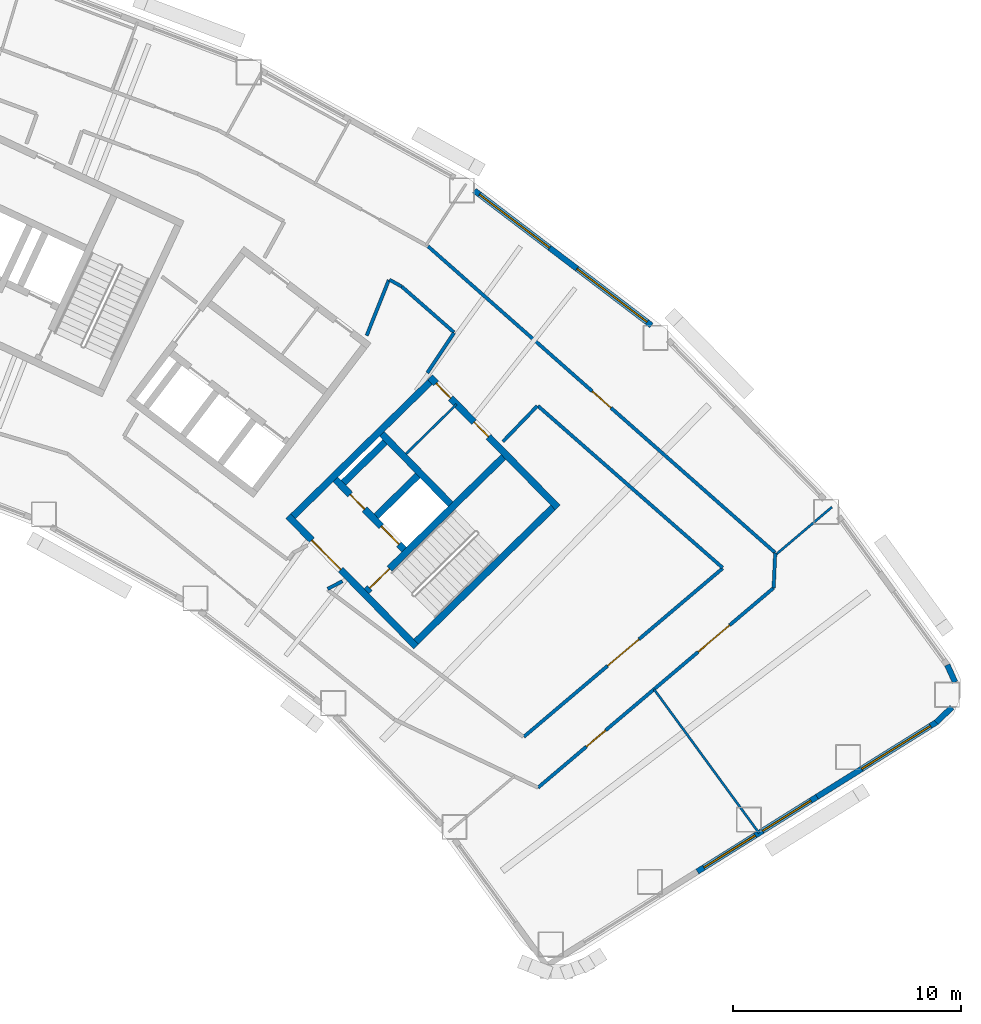
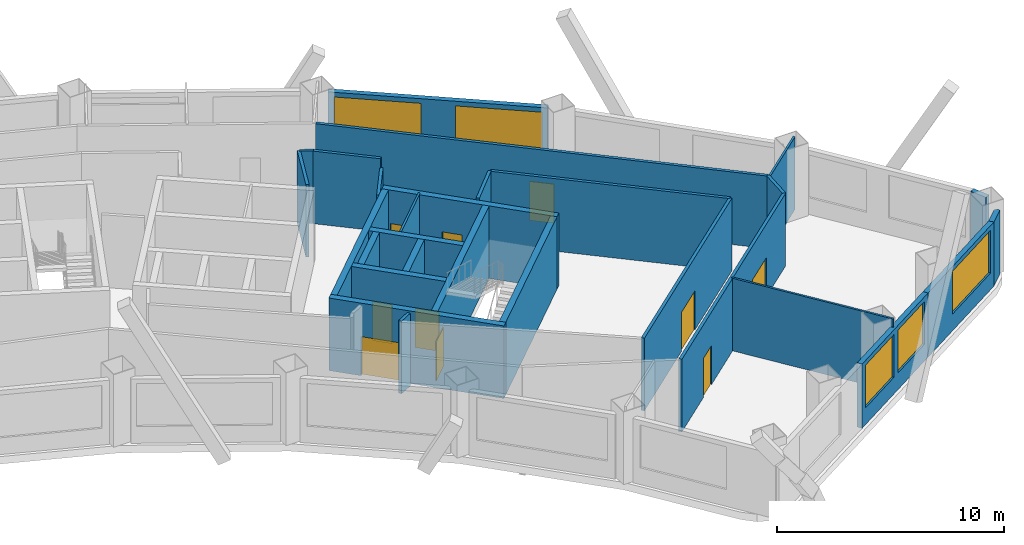
# One storey, part 7 of 11: 28 walls, 10 doors, 5 windows, 15 openings.
"""IFC4 building model written with IfcOpenShell, lengths in metres."""

from ifc_helpers import new_model, si_unit, direction, frame, frame_2d, origin, place, context, subcontext, project, spatial, rectangle, extrude, material, layer, layer_set, type_object, element, fill, save


model = new_model("IFC4")

# Units and contexts
model_context = context("Model", 3, precision=1e-05, world=origin(), true_north=direction((0.0, 1.0)))
body_context = subcontext(model_context, "Body", "Model", "MODEL_VIEW")
ifc_project = project(units=[si_unit("LENGTHUNIT", "METRE"), si_unit("AREAUNIT", "SQUARE_METRE"), si_unit("VOLUMEUNIT", "CUBIC_METRE"), si_unit("PLANEANGLEUNIT", "RADIAN"), si_unit("MASSUNIT", "GRAM", prefix="KILO")], contexts=[model_context])

# Site, building, storey
site_placement = place(None, origin())
site = spatial("IfcSite", under=ifc_project, at=site_placement, CompositionType="ELEMENT")
building_placement = place(site_placement, origin())
building = spatial("IfcBuilding", under=site, at=building_placement, Name="Tuul Gate Civic Tower", CompositionType="ELEMENT")
storey_placement = place(building_placement, frame((0.0, 0.0, 99.300048828125)))
storey = spatial("IfcBuildingStorey", under=building, at=storey_placement, Name="Level 22", CompositionType="ELEMENT", Elevation=99.300048828125)

# Wall, opening, door
ifc_material_1 = material(Name="Concrete C50/60", Category="concrete")
ifc_layer_1 = layer(ifc_material_1, 0.300048828125)
ifc_layer_set_1 = layer_set([ifc_layer_1], Name="Concrete C50/60")
wall_type_1 = type_object("IfcWallType", Name="Core wall C50/60", PredefinedType="SHEAR", material=ifc_layer_set_1)
wall_1_placement = place(storey_placement, frame((48.22509765625, -18.327880859375, 0.0), z_axis=(0.0, 0.0, 1.0), x_axis=(-0.700021979774, 0.714121297703, 0.0)))
wall_1 = element("IfcWall", 1, at=wall_1_placement, inside=storey, type_object=wall_type_1, Name="Core wall", PredefinedType="SHEAR", context=body_context, shape_type="SweptSolid", body=[
    extrude(rectangle(XDim=8.0, YDim=0.300048828125, at=frame_2d((4.0, 0.0))), origin(), (0.0, 0.0, 1.0), 3.89990234375),
])
opening_1_placement = place(wall_1_placement, frame((4.72509765625, 0.0, 0.0)))
opening_1 = element("IfcOpeningElement", 2, at=opening_1_placement, cuts=wall_1, Name="Opening LB-E1-LOBBY-1", PredefinedType="OPENING", context=body_context, shape_type="SweptSolid", body=[
    extrude(rectangle(XDim=1.800048828125, YDim=2.10009765625, at=frame_2d((0.89990234375, 1.050048828125))), frame((0.0, 0.16015625, 0.0), z_axis=(0.0, -1.0, 0.0), x_axis=(1.0, 0.0, 0.0)), (0.0, 0.0, 1.0), 0.320068359375),
])
ifc_material_2 = material(Name="Steel", Category="steel")
door_type_1 = type_object("IfcDoorType", Name="Lobby door", OperationType="DOUBLE_DOOR_SINGLE_SWING", PredefinedType="DOOR", material=ifc_material_2)
door_1_placement = place(opening_1_placement, frame((1.800048828125, 0.0, 0.0), z_axis=(0.0, 0.0, 1.0), x_axis=(-1.0, 0.0, 0.0)))
door_1 = element("IfcDoor", 3, at=door_1_placement, inside=storey, type_object=door_type_1, Name="Lobby door E1-LOBBY", OperationType="DOUBLE_DOOR_SINGLE_SWING", OverallHeight=2.10009765625, OverallWidth=1.800048828125, PredefinedType="DOOR", context=body_context, shape_type="SweptSolid", body=[
    extrude(rectangle(XDim=1.800048828125, YDim=2.10009765625, at=frame_2d((0.900146484375, 1.050048828125))), frame((0.0, 0.02490234375, 0.0), z_axis=(0.0, -1.0, 0.0), x_axis=(1.0, 0.0, 0.0)), (0.0, 0.0, 1.0), 0.050048828125),
])
fill(opening_1, door_1)

# Wall, openings, doors
wall_2_placement = place(storey_placement, frame((47.701904296875, -14.079833984375, 0.0), z_axis=(0.0, 0.0, 1.0), x_axis=(-0.700002721075, 0.714140175657, 0.0)))
wall_2 = element("IfcWall", 4, at=wall_2_placement, inside=storey, type_object=wall_type_1, Name="Core wall", PredefinedType="SHEAR", context=body_context, shape_type="SweptSolid", body=[
    extrude(rectangle(XDim=4.300048828125, YDim=0.300048828125, at=frame_2d((2.14990234375, 0.0))), origin(), (0.0, 0.0, 1.0), 3.89990234375),
])
opening_2_placement = place(wall_2_placement, frame((0.324951171875, 0.0, 0.0)))
opening_2 = element("IfcOpeningElement", 5, at=opening_2_placement, cuts=wall_2, Name="Opening LD-L4", PredefinedType="OPENING", context=body_context, shape_type="SweptSolid", body=[
    extrude(rectangle(XDim=1.10009765625, YDim=2.10009765625, at=frame_2d((0.550048828125, 1.050048828125))), frame((0.0, 0.16015625, 0.0), z_axis=(0.0, -1.0, 0.0), x_axis=(1.0, 0.0, 0.0)), (0.0, 0.0, 1.0), 0.320068359375),
])
opening_3_placement = place(wall_2_placement, frame((2.47509765625, 0.0, 0.0)))
opening_3 = element("IfcOpeningElement", 6, at=opening_3_placement, cuts=wall_2, Name="Opening FB-E1A2", PredefinedType="OPENING", context=body_context, shape_type="SweptSolid", body=[
    extrude(rectangle(XDim=0.89990234375, YDim=2.10009765625, at=frame_2d((0.449951171875, 1.050048828125))), frame((0.0, 0.16015625, 0.0), z_axis=(0.0, -1.0, 0.0), x_axis=(1.0, 0.0, 0.0)), (0.0, 0.0, 1.0), 0.320068359375),
])
ifc_material_3 = material(Name="Stainless steel", Category="steel")
door_type_2 = type_object("IfcDoorType", Name="Landing door", OperationType="DOUBLE_DOOR_SLIDING", PredefinedType="DOOR", material=ifc_material_3)
door_2_placement = place(opening_2_placement, origin())
door_2 = element("IfcDoor", 7, at=door_2_placement, inside=storey, type_object=door_type_2, Name="Low-rise lift L4 landing door", OperationType="DOUBLE_DOOR_SLIDING", OverallHeight=2.10009765625, OverallWidth=1.10009765625, PredefinedType="DOOR", context=body_context, shape_type="SweptSolid", body=[
    extrude(rectangle(XDim=1.10009765625, YDim=2.10009765625, at=frame_2d((0.550048828125, 1.050048828125))), frame((0.0, 0.02490234375, 0.0), z_axis=(0.0, -1.0, 0.0), x_axis=(1.0, 0.0, 0.0)), (0.0, 0.0, 1.0), 0.050048828125),
])
fill(opening_2, door_2)
ifc_material_4 = material(Name="Steel", Category="steel")
door_type_3 = type_object("IfcDoorType", Name="Store door", OperationType="NOTDEFINED", PredefinedType="DOOR", material=ifc_material_4)
door_3_placement = place(opening_3_placement, origin())
door_3 = element("IfcDoor", 8, at=door_3_placement, inside=storey, type_object=door_type_3, Name="Store door E1A2", OperationType="SINGLE_SWING_RIGHT", OverallHeight=2.10009765625, OverallWidth=0.89990234375, PredefinedType="DOOR", context=body_context, shape_type="SweptSolid", body=[
    extrude(rectangle(XDim=0.89990234375, YDim=2.10009765625, at=frame_2d((0.449951171875, 1.050048828125))), frame((0.0, 0.02490234375, 0.0), z_axis=(0.0, -1.0, 0.0), x_axis=(1.0, 0.0, 0.0)), (0.0, 0.0, 1.0), 0.050048828125),
])
fill(opening_3, door_3)

# Wall
wall_3_placement = place(storey_placement, frame((49.737060546875, -12.0849609375, 0.0), z_axis=(0.0, 0.0, 1.0), x_axis=(-0.700002721075, 0.714140175657, 0.0)))
element("IfcWall", 9, at=wall_3_placement, inside=storey, type_object=wall_type_1, Name="Core wall", PredefinedType="SHEAR", context=body_context, shape_type="SweptSolid", body=[
    extrude(rectangle(XDim=4.300048828125, YDim=0.300048828125, at=frame_2d((2.14990234375, 0.0))), origin(), (0.0, 0.0, 1.0), 3.89990234375),
])

# Wall, openings, doors
wall_4_placement = place(storey_placement, frame((54.43798828125, -12.23779296875, 0.0), z_axis=(0.0, 0.0, 1.0), x_axis=(-0.700021979774, 0.714121297703, 0.0)))
wall_4 = element("IfcWall", 10, at=wall_4_placement, inside=storey, type_object=wall_type_1, Name="Core wall", PredefinedType="SHEAR", context=body_context, shape_type="SweptSolid", body=[
    extrude(rectangle(XDim=8.0, YDim=0.300048828125, at=frame_2d((4.0, 0.0))), origin(), (0.0, 0.0, 1.0), 3.89990234375),
])
opening_4_placement = place(wall_4_placement, frame((4.34375, 0.0, 0.0)))
opening_4 = element("IfcOpeningElement", 11, at=opening_4_placement, cuts=wall_4, Name="Opening G-D29", PredefinedType="OPENING", context=body_context, shape_type="SweptSolid", body=[
    extrude(rectangle(XDim=0.89990234375, YDim=2.10009765625, at=frame_2d((0.449951171875, 1.050048828125))), frame((0.0, 0.16015625, 0.0), z_axis=(0.0, -1.0, 0.0), x_axis=(1.0, 0.0, 0.0)), (0.0, 0.0, 1.0), 0.320068359375),
])
opening_5_placement = place(wall_4_placement, frame((6.71875, 0.0, 0.0)))
opening_5 = element("IfcOpeningElement", 12, at=opening_5_placement, cuts=wall_4, Name="Opening G-D30", PredefinedType="OPENING", context=body_context, shape_type="SweptSolid", body=[
    extrude(rectangle(XDim=0.89990234375, YDim=2.10009765625, at=frame_2d((0.449951171875, 1.050048828125))), frame((0.0, 0.16015625, 0.0), z_axis=(0.0, -1.0, 0.0), x_axis=(1.0, 0.0, 0.0)), (0.0, 0.0, 1.0), 0.320068359375),
])
ifc_material_5 = material(Name="Timber door leaf", Category="wood")
door_type_4 = type_object("IfcDoorType", Name="Door D09", OperationType="NOTDEFINED", PredefinedType="DOOR", material=ifc_material_5)
door_4_placement = place(opening_4_placement, origin())
door_4 = element("IfcDoor", 13, at=door_4_placement, inside=storey, type_object=door_type_4, Name="Door G-D29", OperationType="SINGLE_SWING_LEFT", OverallHeight=2.10009765625, OverallWidth=0.89990234375, PredefinedType="DOOR", context=body_context, shape_type="SweptSolid", body=[
    extrude(rectangle(XDim=0.89990234375, YDim=2.10009765625, at=frame_2d((0.449951171875, 1.050048828125))), frame((0.0, 0.02490234375, 0.0), z_axis=(0.0, -1.0, 0.0), x_axis=(1.0, 0.0, 0.0)), (0.0, 0.0, 1.0), 0.050048828125),
])
fill(opening_4, door_4)
door_5_placement = place(opening_5_placement, origin())
door_5 = element("IfcDoor", 14, at=door_5_placement, inside=storey, type_object=door_type_4, Name="Door G-D30", OperationType="SINGLE_SWING_LEFT", OverallHeight=2.10009765625, OverallWidth=0.89990234375, PredefinedType="DOOR", context=body_context, shape_type="SweptSolid", body=[
    extrude(rectangle(XDim=0.89990234375, YDim=2.10009765625, at=frame_2d((0.449951171875, 1.050048828125))), frame((0.0, 0.02490234375, 0.0), z_axis=(0.0, -1.0, 0.0), x_axis=(1.0, 0.0, 0.0)), (0.0, 0.0, 1.0), 0.050048828125),
])
fill(opening_5, door_5)

# Wall
wall_5_placement = place(storey_placement, frame((48.227294921875, -18.115966796875, 0.0), z_axis=(0.0, 0.0, 1.0), x_axis=(0.714105315431, 0.700038283577, 0.0)))
element("IfcWall", 15, at=wall_5_placement, inside=storey, type_object=wall_type_1, Name="Core wall", PredefinedType="SHEAR", context=body_context, shape_type="SweptSolid", body=[
    extrude(rectangle(XDim=8.400146484375, YDim=0.300048828125, at=frame_2d((4.2001953125, 0.0))), origin(), (0.0, 0.0, 1.0), 3.89990234375),
])

# Wall, opening, door
wall_6_placement = place(storey_placement, frame((46.05712890625, -15.902099609375, 0.0), z_axis=(0.0, 0.0, 1.0), x_axis=(0.714134086973, 0.700008932674, 0.0)))
wall_6 = element("IfcWall", 16, at=wall_6_placement, inside=storey, type_object=wall_type_1, Name="Core wall", PredefinedType="SHEAR", context=body_context, shape_type="SweptSolid", body=[
    extrude(rectangle(XDim=8.400146484375, YDim=0.300048828125, at=frame_2d((4.2001953125, 0.0))), origin(), (0.0, 0.0, 1.0), 3.89990234375),
])
opening_6_placement = place(wall_6_placement, frame((0.199951171875, 0.0, 0.0)))
opening_6 = element("IfcOpeningElement", 17, at=opening_6_placement, cuts=wall_6, Name="Opening SD-ST-3", PredefinedType="OPENING", context=body_context, shape_type="SweptSolid", body=[
    extrude(rectangle(XDim=1.199951171875, YDim=2.10009765625, at=frame_2d((0.60009765625, 1.050048828125))), frame((0.0, 0.16015625, 0.0), z_axis=(0.0, -1.0, 0.0), x_axis=(1.0, 0.0, 0.0)), (0.0, 0.0, 1.0), 0.320068359375),
])
ifc_material_6 = material(Name="Steel", Category="steel")
door_type_5 = type_object("IfcDoorType", Name="Stair door", OperationType="NOTDEFINED", PredefinedType="DOOR", material=ifc_material_6)
door_6_placement = place(opening_6_placement, origin())
door_6 = element("IfcDoor", 18, at=door_6_placement, inside=storey, type_object=door_type_5, Name="Stair door ST-3", OperationType="SINGLE_SWING_LEFT", OverallHeight=2.10009765625, OverallWidth=1.199951171875, PredefinedType="DOOR", context=body_context, shape_type="SweptSolid", body=[
    extrude(rectangle(XDim=1.199951171875, YDim=2.10009765625, at=frame_2d((0.60009765625, 1.050048828125))), frame((0.0, 0.02490234375, 0.0), z_axis=(0.0, -1.0, 0.0), x_axis=(1.0, 0.0, 0.0)), (0.0, 0.0, 1.0), 0.050048828125),
])
fill(opening_6, door_6)

# Walls
wall_7_placement = place(storey_placement, frame((46.47900390625, -12.617919921875, 0.0), z_axis=(0.0, 0.0, 1.0), x_axis=(0.71410944159, 0.700034074479, 0.0)))
element("IfcWall", 19, at=wall_7_placement, inside=storey, type_object=wall_type_1, Name="Core wall", PredefinedType="SHEAR", context=body_context, shape_type="SweptSolid", body=[
    extrude(rectangle(XDim=2.5498046875, YDim=0.300048828125, at=frame_2d((1.27490234375, 0.0))), origin(), (0.0, 0.0, 1.0), 3.89990234375),
])
wall_8_placement = place(storey_placement, frame((45.0439453125, -11.154052734375, 0.0), z_axis=(0.0, 0.0, 1.0), x_axis=(0.714108498262, 0.700035036773, 0.0)))
element("IfcWall", 20, at=wall_8_placement, inside=storey, type_object=wall_type_1, Name="Core wall", PredefinedType="SHEAR", context=body_context, shape_type="SweptSolid", body=[
    extrude(rectangle(XDim=2.550048828125, YDim=0.300048828125, at=frame_2d((1.27490234375, 0.0))), origin(), (0.0, 0.0, 1.0), 3.89990234375),
])
wall_9_placement = place(storey_placement, frame((42.837158203125, -12.616943359375, 0.0), z_axis=(0.0, 0.0, 1.0), x_axis=(0.714119844755, 0.700023461983, 0.0)))
element("IfcWall", 21, at=wall_9_placement, inside=storey, type_object=wall_type_1, Name="Core wall", PredefinedType="SHEAR", context=body_context, shape_type="SweptSolid", body=[
    extrude(rectangle(XDim=8.39990234375, YDim=0.300048828125, at=frame_2d((4.199951171875, 0.0))), origin(), (0.0, 0.0, 1.0), 3.89990234375),
])
ifc_material_7 = material(Name="Gypsum board partition")
ifc_layer_2 = layer(ifc_material_7, 0.14990234375)
ifc_layer_set_2 = layer_set([ifc_layer_2], Name="Gypsum board partition")
wall_type_2 = type_object("IfcWallType", Name="Corridor wall P150", PredefinedType="PARTITIONING", material=ifc_layer_set_2)
wall_10_placement = place(storey_placement, frame((63.896728515625, -15.7587890625, 0.0), z_axis=(0.0, 0.0, 1.0), x_axis=(0.044386550427, 0.999014431398, 0.0)))
element("IfcWall", 22, at=wall_10_placement, inside=storey, type_object=wall_type_2, Name="p005", PredefinedType="PARTITIONING", context=body_context, shape_type="SweptSolid", body=[
    extrude(rectangle(XDim=1.5400390625, YDim=0.14990234375, at=frame_2d((0.77001953125, 0.0))), origin(), (0.0, 0.0, 1.0), 3.89990234375),
])

# Wall, opening, door
wall_11_placement = place(storey_placement, frame((48.749755859375, -0.790283203125, 0.0), z_axis=(0.0, 0.0, 1.0), x_axis=(0.749724450123, -0.66175014083, 0.0)))
wall_11 = element("IfcWall", 23, at=wall_11_placement, inside=storey, type_object=wall_type_2, Name="p006", PredefinedType="PARTITIONING", context=body_context, shape_type="SweptSolid", body=[
    extrude(rectangle(XDim=20.294677734375, YDim=0.14990234375, at=frame_2d((10.1474609375, 0.0))), origin(), (0.0, 0.0, 1.0), 3.89990234375),
])
opening_7_placement = place(wall_11_placement, frame((9.59716796875, 0.0, 0.0)))
opening_7 = element("IfcOpeningElement", 24, at=opening_7_placement, cuts=wall_11, Name="Opening G-D01", PredefinedType="OPENING", context=body_context, shape_type="SweptSolid", body=[
    extrude(rectangle(XDim=1.10009765625, YDim=2.10009765625, at=frame_2d((0.550048828125, 1.050048828125))), frame((0.0, 0.0849609375, 0.0), z_axis=(0.0, -1.0, 0.0), x_axis=(1.0, 0.0, 0.0)), (0.0, 0.0, 1.0), 0.169921875),
])
ifc_material_8 = material(Name="Timber door leaf", Category="wood")
door_type_6 = type_object("IfcDoorType", Name="Door D11", OperationType="NOTDEFINED", PredefinedType="DOOR", material=ifc_material_8)
door_7_placement = place(opening_7_placement, origin())
door_7 = element("IfcDoor", 25, at=door_7_placement, inside=storey, type_object=door_type_6, Name="Door G-D01", OperationType="SINGLE_SWING_RIGHT", OverallHeight=2.10009765625, OverallWidth=1.10009765625, PredefinedType="DOOR", context=body_context, shape_type="SweptSolid", body=[
    extrude(rectangle(XDim=1.10009765625, YDim=2.10009765625, at=frame_2d((0.550048828125, 1.050048828125))), frame((0.0, 0.02490234375, 0.0), z_axis=(0.0, -1.0, 0.0), x_axis=(1.0, 0.0, 0.0)), (0.0, 0.0, 1.0), 0.050048828125),
])
fill(opening_7, door_7)

# Walls
wall_12_placement = place(storey_placement, frame((52.029296875, -9.351318359375, 0.0), z_axis=(0.0, 0.0, 1.0), x_axis=(0.694027578759, 0.719948414764, 0.0)))
element("IfcWall", 26, at=wall_12_placement, inside=storey, type_object=wall_type_2, Name="p043", PredefinedType="PARTITIONING", context=body_context, shape_type="SweptSolid", body=[
    extrude(rectangle(XDim=2.17578125, YDim=0.14990234375, at=frame_2d((1.087890625, 0.0))), origin(), (0.0, 0.0, 1.0), 3.89990234375),
])
wall_13_placement = place(storey_placement, frame((47.600830078125, -2.55517578125, 0.0), z_axis=(0.0, 0.0, 1.0), x_axis=(0.752088378546, -0.659062266297, 0.0)))
element("IfcWall", 27, at=wall_13_placement, inside=storey, type_object=wall_type_2, Name="p044", PredefinedType="PARTITIONING", context=body_context, shape_type="SweptSolid", body=[
    extrude(rectangle(XDim=3.036376953125, YDim=0.14990234375, at=frame_2d((1.51806640625, 0.0))), origin(), (0.0, 0.0, 1.0), 3.89990234375),
])
wall_14_placement = place(storey_placement, frame((53.56689453125, -7.78369140625, 0.0), z_axis=(0.0, 0.0, 1.0), x_axis=(0.752056289821, -0.659098882521, 0.0)))
element("IfcWall", 28, at=wall_14_placement, inside=storey, type_object=wall_type_2, Name="p045", PredefinedType="PARTITIONING", context=body_context, shape_type="SweptSolid", body=[
    extrude(rectangle(XDim=10.757568359375, YDim=0.14990234375, at=frame_2d((5.37890625, 0.0))), origin(), (0.0, 0.0, 1.0), 3.89990234375),
])

# Wall, opening, door
wall_15_placement = place(storey_placement, frame((52.9501953125, -22.284423828125, 0.0), z_axis=(0.0, 0.0, 1.0), x_axis=(0.762831044149, 0.646597864273, 0.0)))
wall_15 = element("IfcWall", 29, at=wall_15_placement, inside=storey, type_object=wall_type_2, Name="p046", PredefinedType="PARTITIONING", context=body_context, shape_type="SweptSolid", body=[
    extrude(rectangle(XDim=11.413818359375, YDim=0.14990234375, at=frame_2d((5.70703125, 0.0))), origin(), (0.0, 0.0, 1.0), 3.89990234375),
])
opening_8_placement = place(wall_15_placement, frame((4.806884765625, 0.0, 0.0)))
opening_8 = element("IfcOpeningElement", 30, at=opening_8_placement, cuts=wall_15, Name="Opening G-D14", PredefinedType="OPENING", context=body_context, shape_type="SweptSolid", body=[
    extrude(rectangle(XDim=1.800048828125, YDim=2.10009765625, at=frame_2d((0.89990234375, 1.050048828125))), frame((0.0, 0.0849609375, 0.0), z_axis=(0.0, -1.0, 0.0), x_axis=(1.0, 0.0, 0.0)), (0.0, 0.0, 1.0), 0.169921875),
])
ifc_material_9 = material(Name="Timber door leaf, double", Category="wood")
door_type_7 = type_object("IfcDoorType", Name="Door D18", OperationType="DOUBLE_DOOR_SINGLE_SWING", PredefinedType="DOOR", material=ifc_material_9)
door_8_placement = place(opening_8_placement, origin())
door_8 = element("IfcDoor", 31, at=door_8_placement, inside=storey, type_object=door_type_7, Name="Door G-D14", OperationType="DOUBLE_DOOR_SINGLE_SWING", OverallHeight=2.10009765625, OverallWidth=1.800048828125, PredefinedType="DOOR", context=body_context, shape_type="SweptSolid", body=[
    extrude(rectangle(XDim=1.800048828125, YDim=2.10009765625, at=frame_2d((0.89990234375, 1.050048828125))), frame((0.0, 0.02490234375, 0.0), z_axis=(0.0, -1.0, 0.0), x_axis=(1.0, 0.0, 0.0)), (0.0, 0.0, 1.0), 0.050048828125),
])
fill(opening_8, door_8)

# Walls
wall_16_placement = place(storey_placement, frame((44.35205078125, -15.8046875, 0.0), z_axis=(0.0, 0.0, 1.0), x_axis=(0.885563012324, 0.464519268927, 0.0)))
element("IfcWall", 32, at=wall_16_placement, inside=storey, type_object=wall_type_2, Name="p049", PredefinedType="PARTITIONING", context=body_context, shape_type="SweptSolid", body=[
    extrude(rectangle(XDim=0.72998046875, YDim=0.14990234375, at=frame_2d((0.364990234375, 0.0))), origin(), (0.0, 0.0, 1.0), 3.89990234375),
])
wall_17_placement = place(storey_placement, frame((46.061279296875, -4.701171875, 0.0), z_axis=(0.0, 0.0, 1.0), x_axis=(0.369736596623, 0.929136614884, 0.0)))
element("IfcWall", 33, at=wall_17_placement, inside=storey, type_object=wall_type_2, Name="p053", PredefinedType="PARTITIONING", context=body_context, shape_type="SweptSolid", body=[
    extrude(rectangle(XDim=2.6220703125, YDim=0.14990234375, at=frame_2d((1.31103515625, 0.0))), origin(), (0.0, 0.0, 1.0), 3.89990234375),
])
wall_18_placement = place(storey_placement, frame((47.05908203125, -2.2548828125, 0.0), z_axis=(0.0, 0.0, 1.0), x_axis=(0.874998277673, -0.484126031184, 0.0)))
element("IfcWall", 34, at=wall_18_placement, inside=storey, type_object=wall_type_2, Name="p055", PredefinedType="PARTITIONING", context=body_context, shape_type="SweptSolid", body=[
    extrude(rectangle(XDim=0.615234375, YDim=0.14990234375, at=frame_2d((0.3076171875, 0.0))), origin(), (0.0, 0.0, 1.0), 3.89990234375),
])

# Wall, openings, doors
wall_19_placement = place(storey_placement, frame((53.572021484375, -24.510498046875, 0.0), z_axis=(0.0, 0.0, 1.0), x_axis=(0.762824270541, 0.646605855428, 0.0)))
wall_19 = element("IfcWall", 35, at=wall_19_placement, inside=storey, type_object=wall_type_2, Name="p081", PredefinedType="PARTITIONING", context=body_context, shape_type="SweptSolid", body=[
    extrude(rectangle(XDim=13.534912109375, YDim=0.14990234375, at=frame_2d((6.767578125, 0.0))), origin(), (0.0, 0.0, 1.0), 3.89990234375),
])
opening_9_placement = place(wall_19_placement, frame((9.1982421875, 0.0, 0.0)))
opening_9 = element("IfcOpeningElement", 36, at=opening_9_placement, cuts=wall_19, Name="Opening G-D21", PredefinedType="OPENING", context=body_context, shape_type="SweptSolid", body=[
    extrude(rectangle(XDim=1.800048828125, YDim=2.10009765625, at=frame_2d((0.89990234375, 1.050048828125))), frame((0.0, 0.0849609375, 0.0), z_axis=(0.0, -1.0, 0.0), x_axis=(1.0, 0.0, 0.0)), (0.0, 0.0, 1.0), 0.169921875),
])
opening_10_placement = place(wall_19_placement, frame((2.78076171875, 0.0, 0.0)))
opening_10 = element("IfcOpeningElement", 37, at=opening_10_placement, cuts=wall_19, Name="Opening G-D22", PredefinedType="OPENING", context=body_context, shape_type="SweptSolid", body=[
    extrude(rectangle(XDim=1.10009765625, YDim=2.10009765625, at=frame_2d((0.550048828125, 1.050048828125))), frame((0.0, 0.0849609375, 0.0), z_axis=(0.0, -1.0, 0.0), x_axis=(1.0, 0.0, 0.0)), (0.0, 0.0, 1.0), 0.169921875),
])
door_9_placement = place(opening_10_placement, frame((1.10009765625, 0.0, 0.0), z_axis=(0.0, 0.0, 1.0), x_axis=(-1.0, 0.0, 0.0)))
door_9 = element("IfcDoor", 38, at=door_9_placement, inside=storey, type_object=door_type_6, Name="Door G-D22", OperationType="SINGLE_SWING_LEFT", OverallHeight=2.10009765625, OverallWidth=1.10009765625, PredefinedType="DOOR", context=body_context, shape_type="SweptSolid", body=[
    extrude(rectangle(XDim=1.10009765625, YDim=2.10009765625, at=frame_2d((0.550048828125, 1.050048828125))), frame((0.0, 0.02490234375, 0.0), z_axis=(0.0, -1.0, 0.0), x_axis=(1.0, 0.0, 0.0)), (0.0, 0.0, 1.0), 0.050048828125),
])
fill(opening_10, door_9)
door_10_placement = place(opening_9_placement, frame((1.800048828125, 0.0, 0.0), z_axis=(0.0, 0.0, 1.0), x_axis=(-1.0, 0.0, 0.0)))
door_10 = element("IfcDoor", 39, at=door_10_placement, inside=storey, type_object=door_type_7, Name="Door G-D21", OperationType="DOUBLE_DOOR_SINGLE_SWING", OverallHeight=2.10009765625, OverallWidth=1.800048828125, PredefinedType="DOOR", context=body_context, shape_type="SweptSolid", body=[
    extrude(rectangle(XDim=1.800048828125, YDim=2.10009765625, at=frame_2d((0.900146484375, 1.050048828125))), frame((0.0, 0.02490234375, 0.0), z_axis=(0.0, -1.0, 0.0), x_axis=(1.0, 0.0, 0.0)), (0.0, 0.0, 1.0), 0.050048828125),
])
fill(opening_9, door_10)

# Walls
ifc_material_10 = material(Name="Gypsum board partition")
ifc_layer_3 = layer(ifc_material_10, 0.14990234375)
ifc_layer_set_3 = layer_set([ifc_layer_3], Name="Gypsum board partition")
wall_type_3 = type_object("IfcWallType", Name="Corridor wall P150 3400 HIGH", PredefinedType="PARTITIONING", material=ifc_layer_set_3)
wall_20_placement = place(storey_placement, frame((48.715576171875, -6.337890625, 0.0), z_axis=(0.0, 0.0, 1.0), x_axis=(0.555393956598, 0.831587369417, 0.0)))
element("IfcWall", 40, at=wall_20_placement, inside=storey, type_object=wall_type_3, Name="p056", PredefinedType="PARTITIONING", context=body_context, shape_type="SweptSolid", body=[
    extrude(rectangle(XDim=2.11083984375, YDim=0.14990234375, at=frame_2d((1.055419921875, 0.0))), origin(), (0.0, 0.0, 1.0), 3.39990234375),
])
ifc_material_11 = material(Name="Precast concrete C40/50", Category="concrete")
ifc_layer_4 = layer(ifc_material_11, 0.25)
ifc_layer_set_4 = layer_set([ifc_layer_4], Name="Precast concrete C40/50")
wall_type_4 = type_object("IfcWallType", Name="External wall", PredefinedType="STANDARD", material=ifc_layer_set_4)
wall_21_placement = place(storey_placement, frame((71.01953125, -21.65478515625, 0.0), z_axis=(0.0, 0.0, 1.0), x_axis=(0.721494337976, 0.692420334961, 0.0)))
element("IfcWall", 41, at=wall_21_placement, inside=storey, type_object=wall_type_4, Name="External wall", PredefinedType="STANDARD", context=body_context, shape_type="SweptSolid", body=[
    extrude(rectangle(XDim=0.957275390625, YDim=0.25, at=frame_2d((0.478515625, 0.0))), origin(), (0.0, 0.0, 1.0), 3.449951171875),
])
wall_22_placement = place(storey_placement, frame((71.84765625, -19.89208984375, 0.0), z_axis=(0.0, 0.0, 1.0), x_axis=(-0.412982206982, 0.910739093658, 0.0)))
element("IfcWall", 42, at=wall_22_placement, inside=storey, type_object=wall_type_4, Name="External wall", PredefinedType="STANDARD", context=body_context, shape_type="SweptSolid", body=[
    extrude(rectangle(XDim=0.829345703125, YDim=0.25, at=frame_2d((0.41455078125, 0.0))), origin(), (0.0, 0.0, 1.0), 3.449951171875),
])

# Wall, openings, windows
wall_23_placement = place(storey_placement, frame((58.540283203125, -4.25390625, 0.0), z_axis=(0.0, 0.0, 1.0), x_axis=(-0.795623043201, 0.605792021346, 0.0)))
wall_23 = element("IfcWall", 43, at=wall_23_placement, inside=storey, type_object=wall_type_4, Name="External wall", PredefinedType="STANDARD", context=body_context, shape_type="SweptSolid", body=[
    extrude(rectangle(XDim=9.75244140625, YDim=0.25, at=frame_2d((4.876220703125, 0.0))), origin(), (0.0, 0.0, 1.0), 3.449951171875),
])
opening_11_placement = place(wall_23_placement, frame((0.24658203125, 0.0, 0.89990234375)))
opening_11 = element("IfcOpeningElement", 44, at=opening_11_placement, cuts=wall_23, Name="Opening W22", PredefinedType="OPENING", context=body_context, shape_type="SweptSolid", body=[
    extrude(rectangle(XDim=3.85009765625, YDim=2.300048828125, at=frame_2d((1.925048828125, 1.14990234375))), frame((0.0, 0.135009765625, 0.0), z_axis=(0.0, -1.0, 0.0), x_axis=(1.0, 0.0, 0.0)), (0.0, 0.0, 1.0), 0.27001953125),
])
opening_12_placement = place(wall_23_placement, frame((5.617919921875, 0.0, 0.89990234375)))
opening_12 = element("IfcOpeningElement", 45, at=opening_12_placement, cuts=wall_23, Name="Opening W22", PredefinedType="OPENING", context=body_context, shape_type="SweptSolid", body=[
    extrude(rectangle(XDim=3.85009765625, YDim=2.300048828125, at=frame_2d((1.925048828125, 1.14990234375))), frame((0.0, 0.135009765625, 0.0), z_axis=(0.0, -1.0, 0.0), x_axis=(1.0, 0.0, 0.0)), (0.0, 0.0, 1.0), 0.27001953125),
])
ifc_material_12 = material(Name="Glass", Category="glass")
window_type_1 = type_object("IfcWindowType", Name="Window W22 3850 x 2300", PartitioningType="SINGLE_PANEL", PredefinedType="WINDOW", material=ifc_material_12)
window_1_placement = place(opening_11_placement, origin())
window_1 = element("IfcWindow", 46, at=window_1_placement, inside=storey, type_object=window_type_1, Name="Window", OverallHeight=2.300048828125, OverallWidth=3.85009765625, PartitioningType="SINGLE_PANEL", PredefinedType="WINDOW", context=body_context, shape_type="SweptSolid", body=[
    extrude(rectangle(XDim=3.85009765625, YDim=2.300048828125, at=frame_2d((1.925048828125, 1.14990234375))), frame((0.0, 0.030029296875, 0.0), z_axis=(0.0, -1.0, 0.0), x_axis=(1.0, 0.0, 0.0)), (0.0, 0.0, 1.0), 0.06005859375),
])
fill(opening_11, window_1)
window_2_placement = place(opening_12_placement, origin())
window_2 = element("IfcWindow", 47, at=window_2_placement, inside=storey, type_object=window_type_1, Name="Window", OverallHeight=2.300048828125, OverallWidth=3.85009765625, PartitioningType="SINGLE_PANEL", PredefinedType="WINDOW", context=body_context, shape_type="SweptSolid", body=[
    extrude(rectangle(XDim=3.85009765625, YDim=2.300048828125, at=frame_2d((1.925048828125, 1.14990234375))), frame((0.0, 0.030029296875, 0.0), z_axis=(0.0, -1.0, 0.0), x_axis=(1.0, 0.0, 0.0)), (0.0, 0.0, 1.0), 0.06005859375),
])
fill(opening_12, window_2)

wall_24_placement = place(storey_placement, frame((60.552978515625, -28.191650390625, 0.0), z_axis=(0.0, 0.0, 1.0), x_axis=(0.848053758074, 0.529910203164, 0.0)))
wall_24 = element("IfcWall", 48, at=wall_24_placement, inside=storey, type_object=wall_type_4, Name="External wall", PredefinedType="STANDARD", context=body_context, shape_type="SweptSolid", body=[
    extrude(rectangle(XDim=6.182861328125, YDim=0.25, at=frame_2d((3.09130859375, 0.0))), origin(), (0.0, 0.0, 1.0), 3.449951171875),
])
opening_13_placement = place(wall_24_placement, frame((0.339111328125, 0.0, 0.89990234375)))
opening_13 = element("IfcOpeningElement", 49, at=opening_13_placement, cuts=wall_24, Name="Opening W37", PredefinedType="OPENING", context=body_context, shape_type="SweptSolid", body=[
    extrude(rectangle(XDim=2.64990234375, YDim=2.300048828125, at=frame_2d((1.324951171875, 1.14990234375))), frame((0.0, 0.135009765625, 0.0), z_axis=(0.0, -1.0, 0.0), x_axis=(1.0, 0.0, 0.0)), (0.0, 0.0, 1.0), 0.27001953125),
])
opening_14_placement = place(wall_24_placement, frame((3.3642578125, 0.0, 0.89990234375)))
opening_14 = element("IfcOpeningElement", 50, at=opening_14_placement, cuts=wall_24, Name="Opening W38", PredefinedType="OPENING", context=body_context, shape_type="SweptSolid", body=[
    extrude(rectangle(XDim=2.5, YDim=2.300048828125, at=frame_2d((1.25, 1.14990234375))), frame((0.0, 0.135009765625, 0.0), z_axis=(0.0, -1.0, 0.0), x_axis=(1.0, 0.0, 0.0)), (0.0, 0.0, 1.0), 0.27001953125),
])
ifc_material_13 = material(Name="Glass", Category="glass")
window_type_2 = type_object("IfcWindowType", Name="Window 2500 x 2300", PartitioningType="SINGLE_PANEL", PredefinedType="WINDOW", material=ifc_material_13)
window_3_placement = place(opening_14_placement, origin())
window_3 = element("IfcWindow", 51, at=window_3_placement, inside=storey, type_object=window_type_2, Name="Window", OverallHeight=2.300048828125, OverallWidth=2.5, PartitioningType="SINGLE_PANEL", PredefinedType="WINDOW", context=body_context, shape_type="SweptSolid", body=[
    extrude(rectangle(XDim=2.5, YDim=2.300048828125, at=frame_2d((1.25, 1.14990234375))), frame((0.0, 0.030029296875, 0.0), z_axis=(0.0, -1.0, 0.0), x_axis=(1.0, 0.0, 0.0)), (0.0, 0.0, 1.0), 0.06005859375),
])
fill(opening_14, window_3)
ifc_material_14 = material(Name="Glass", Category="glass")
window_type_3 = type_object("IfcWindowType", Name="Window 2650 x 2300", PartitioningType="SINGLE_PANEL", PredefinedType="WINDOW", material=ifc_material_14)
window_4_placement = place(opening_13_placement, origin())
window_4 = element("IfcWindow", 52, at=window_4_placement, inside=storey, type_object=window_type_3, Name="Window", OverallHeight=2.300048828125, OverallWidth=2.64990234375, PartitioningType="SINGLE_PANEL", PredefinedType="WINDOW", context=body_context, shape_type="SweptSolid", body=[
    extrude(rectangle(XDim=2.64990234375, YDim=2.300048828125, at=frame_2d((1.324951171875, 1.14990234375))), frame((0.0, 0.030029296875, 0.0), z_axis=(0.0, -1.0, 0.0), x_axis=(1.0, 0.0, 0.0)), (0.0, 0.0, 1.0), 0.06005859375),
])
fill(opening_13, window_4)

# Wall, opening, window
wall_25_placement = place(storey_placement, frame((65.79638671875, -24.915283203125, 0.0), z_axis=(0.0, 0.0, 1.0), x_axis=(0.848053758074, 0.529910203164, 0.0)))
wall_25 = element("IfcWall", 53, at=wall_25_placement, inside=storey, type_object=wall_type_4, Name="External wall", PredefinedType="STANDARD", context=body_context, shape_type="SweptSolid", body=[
    extrude(rectangle(XDim=6.182861328125, YDim=0.25, at=frame_2d((3.09130859375, 0.0))), origin(), (0.0, 0.0, 1.0), 3.449951171875),
])
opening_15_placement = place(wall_25_placement, frame((2.30908203125, 0.0, 0.89990234375)))
opening_15 = element("IfcOpeningElement", 54, at=opening_15_placement, cuts=wall_25, Name="Opening W112", PredefinedType="OPENING", context=body_context, shape_type="SweptSolid", body=[
    extrude(rectangle(XDim=3.550048828125, YDim=2.300048828125, at=frame_2d((1.77490234375, 1.14990234375))), frame((0.0, 0.135009765625, 0.0), z_axis=(0.0, -1.0, 0.0), x_axis=(1.0, 0.0, 0.0)), (0.0, 0.0, 1.0), 0.27001953125),
])
ifc_material_15 = material(Name="Glass", Category="glass")
window_type_4 = type_object("IfcWindowType", Name="Window W112 3550 x 2300", PartitioningType="SINGLE_PANEL", PredefinedType="WINDOW", material=ifc_material_15)
window_5_placement = place(opening_15_placement, origin())
window_5 = element("IfcWindow", 55, at=window_5_placement, inside=storey, type_object=window_type_4, Name="Window", OverallHeight=2.300048828125, OverallWidth=3.550048828125, PartitioningType="SINGLE_PANEL", PredefinedType="WINDOW", context=body_context, shape_type="SweptSolid", body=[
    extrude(rectangle(XDim=3.550048828125, YDim=2.300048828125, at=frame_2d((1.77490234375, 1.14990234375))), frame((0.0, 0.030029296875, 0.0), z_axis=(0.0, -1.0, 0.0), x_axis=(1.0, 0.0, 0.0)), (0.0, 0.0, 1.0), 0.06005859375),
])
fill(opening_15, window_5)

# Walls
ifc_material_16 = material(Name="Gypsum board partition")
ifc_layer_5 = layer(ifc_material_16, 0.10009765625)
ifc_layer_set_5 = layer_set([ifc_layer_5], Name="Gypsum board partition")
wall_type_5 = type_object("IfcWallType", Name="Partition P100", PredefinedType="PARTITIONING", material=ifc_layer_set_5)
wall_26_placement = place(storey_placement, frame((63.960205078125, -14.32861328125, 0.0), z_axis=(0.0, 0.0, 1.0), x_axis=(0.762805029837, 0.646628553696, 0.0)))
element("IfcWall", 56, at=wall_26_placement, inside=storey, type_object=wall_type_5, Name="p003", PredefinedType="PARTITIONING", context=body_context, shape_type="SweptSolid", body=[
    extrude(rectangle(XDim=3.267822265625, YDim=0.10009765625, at=frame_2d((1.6337890625, 0.0))), origin(), (0.0, 0.0, 1.0), 3.89990234375),
])
wall_27_placement = place(storey_placement, frame((58.65380859375, -20.202880859375, 0.0), z_axis=(0.0, 0.0, 1.0), x_axis=(0.589799379416, -0.807549807777, 0.0)))
element("IfcWall", 57, at=wall_27_placement, inside=storey, type_object=wall_type_5, Name="p080", PredefinedType="PARTITIONING", context=body_context, shape_type="SweptSolid", body=[
    extrude(rectangle(XDim=7.806884765625, YDim=0.10009765625, at=frame_2d((3.9033203125, 0.0))), origin(), (0.0, 0.0, 1.0), 3.89990234375),
])
wall_28_placement = place(storey_placement, frame((47.787841796875, -9.882080078125, 0.0), z_axis=(0.0, 0.0, 1.0), x_axis=(0.714119924869, 0.700023380256, 0.0)))
element("IfcWall", 58, at=wall_28_placement, inside=storey, type_object=wall_type_5, Name="bE1-BAND-0", PredefinedType="PARTITIONING", context=body_context, shape_type="SweptSolid", body=[
    extrude(rectangle(XDim=3.10009765625, YDim=0.10009765625, at=frame_2d((1.550048828125, 0.0))), origin(), (0.0, 0.0, 1.0), 3.89990234375),
])

save(model, "model.ifc")
